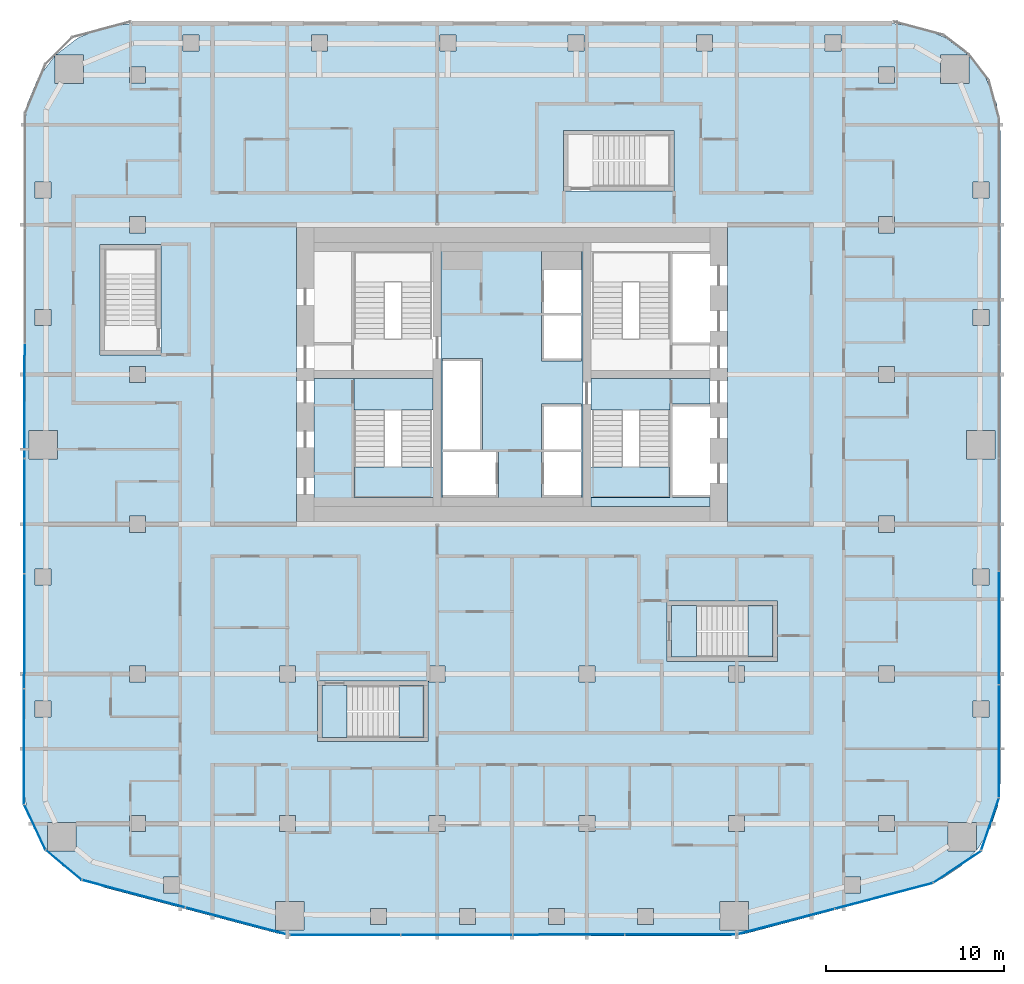
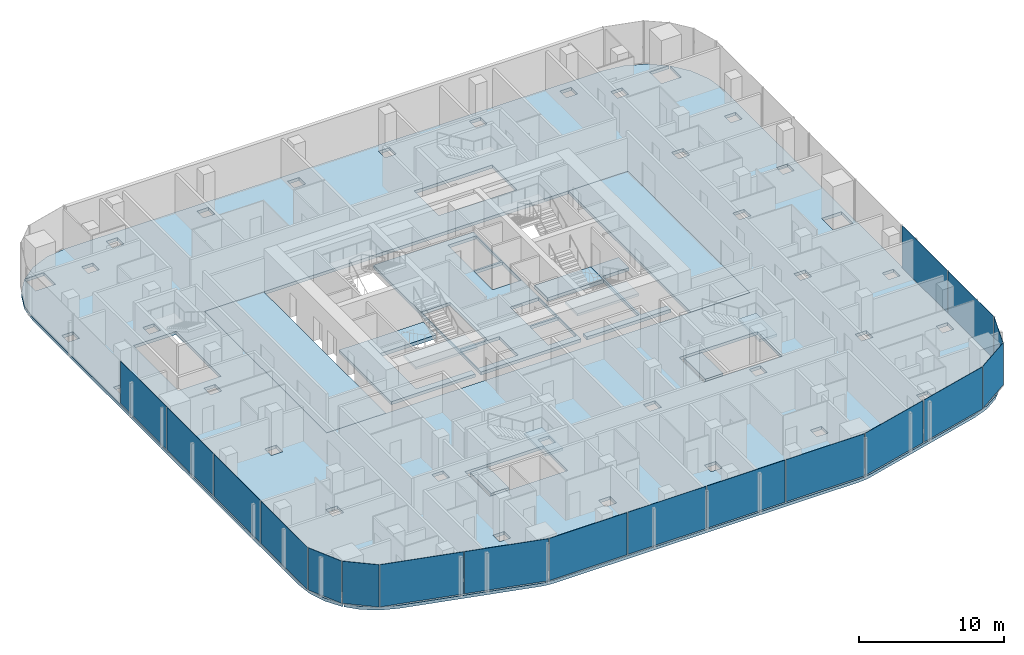
# One storey, part 12 of 23: 18 plates, 14 slabs, 13 elements without a shape of their own.
"""IFC4 building model written with IfcOpenShell, lengths in metres."""

from ifc_helpers import new_model, si_unit, direction, frame, origin, origin_2d, place, context, subcontext, project, spatial, polyline, rectangle, outline, extrude, material, layer, layer_set, type_object, element, aggregate, save


model = new_model("IFC4")

# Units and contexts
model_context = context("Model", 3, precision=1e-05, world=origin(), true_north=direction((0.0, 1.0)))
body_context = subcontext(model_context, "Body", "Model", "MODEL_VIEW")
ifc_project = project(units=[si_unit("LENGTHUNIT", "METRE"), si_unit("AREAUNIT", "SQUARE_METRE"), si_unit("VOLUMEUNIT", "CUBIC_METRE"), si_unit("PLANEANGLEUNIT", "RADIAN"), si_unit("MASSUNIT", "GRAM", prefix="KILO")], contexts=[model_context])

# Site, building, storey
site_placement = place(None, origin())
site = spatial("IfcSite", under=ifc_project, at=site_placement, CompositionType="ELEMENT")
building_placement = place(site_placement, origin())
building = spatial("IfcBuilding", under=site, at=building_placement, Name="Marenta Gate Hotel Tower", CompositionType="ELEMENT")
storey_placement = place(building_placement, frame((0.0, 0.0, 126.5)))
storey = spatial("IfcBuildingStorey", under=building, at=storey_placement, Name="L28", CompositionType="ELEMENT", Elevation=126.5)

# Slabs
ifc_material_1 = material(Name="Concrete C35", Category="concrete")
ifc_layer_1 = layer(ifc_material_1, 0.260009765625)
ifc_layer_set_1 = layer_set([ifc_layer_1], Name="Concrete C35")
slab_type_1 = type_object("IfcSlabType", Name="Concrete floor slab 260", PredefinedType="FLOOR", material=ifc_layer_set_1)
slab_1_placement = place(storey_placement, frame((0.0, 0.0, -0.260009765625)))
element("IfcSlab", 1, at=slab_1_placement, inside=storey, type_object=slab_type_1, Name="L28-SL-1", PredefinedType="FLOOR", context=body_context, shape_type="SweptSolid", body=[
    extrude(outline(polyline([(-25.213623046875, -19.1640625), (-26.011474609375, -18.3330078125), (-24.462890625, -18.3330078125), (-24.462890625, -16.73291015625), (-26.06298828125, -16.73291015625), (-26.06298828125, -18.279296875), (-26.13525390625, -18.2041015625), (-26.826904296875, -17.06689453125), (-27.25537109375, -15.80712890625), (-27.39990234375, -14.48974609375), (-27.39990234375, 22.006591796875), (-27.193115234375, 23.5791015625), (-26.58349609375, 25.050537109375), (-25.635498046875, 26.285888671875), (-25.635498046875, 24.735595703125), (-24.035400390625, 24.735595703125), (-24.035400390625, 26.33544921875), (-25.585693359375, 26.33544921875), (-24.350341796875, 27.283447265625), (-22.87890625, 27.89306640625), (-21.306640625, 28.10009765625), (21.306640625, 28.10009765625), (22.87890625, 27.89306640625), (24.350341796875, 27.283447265625), (25.585693359375, 26.33544921875), (24.035400390625, 26.33544921875), (24.035400390625, 24.735595703125), (25.635498046875, 24.735595703125), (25.635498046875, 26.285888671875), (26.58349609375, 25.050537109375), (27.193115234375, 23.5791015625), (27.39990234375, 22.006591796875), (27.39990234375, -14.48974609375), (27.25537109375, -15.80712890625), (26.826904296875, -17.06689453125), (26.13525390625, -18.2041015625), (26.06298828125, -18.279296875), (26.06298828125, -16.73291015625), (24.462890625, -16.73291015625), (24.462890625, -18.3330078125), (26.011474609375, -18.3330078125), (25.213623046875, -19.1640625), (24.105712890625, -19.9013671875), (22.86962890625, -20.37890625), (13.126708984375, -22.963623046875), (12.608642578125, -23.065673828125), (12.08154296875, -23.10009765625), (-12.08154296875, -23.10009765625), (-12.608642578125, -23.065673828125), (-13.126708984375, -22.963623046875), (-22.86962890625, -20.37890625), (-24.105712890625, -19.9013671875), (-25.213623046875, -19.1640625)]), holes=[polyline([(-16.800048828125, 0.0), (16.800048828125, 0.0), (16.800048828125, 16.800048828125), (-16.800048828125, 16.800048828125), (-16.800048828125, 0.0)]), polyline([(-18.65673828125, -19.7890625), (-19.556884765625, -19.7890625), (-19.556884765625, -20.689208984375), (-18.65673828125, -20.689208984375), (-18.65673828125, -19.7890625)]), polyline([(-20.550048828125, -17.25), (-20.550048828125, -16.35009765625), (-21.449951171875, -16.35009765625), (-21.449951171875, -17.25), (-20.550048828125, -17.25)]), polyline([(-12.14990234375, -16.35009765625), (-13.050048828125, -16.35009765625), (-13.050048828125, -17.25), (-12.14990234375, -17.25), (-12.14990234375, -16.35009765625)]), polyline([(-25.85009765625, -10.802001953125), (-25.85009765625, -9.90185546875), (-26.75, -9.90185546875), (-26.75, -10.802001953125), (-25.85009765625, -10.802001953125)]), polyline([(-20.550048828125, -8.85009765625), (-20.550048828125, -7.949951171875), (-21.449951171875, -7.949951171875), (-21.449951171875, -8.85009765625), (-20.550048828125, -8.85009765625)]), polyline([(-25.85009765625, -2.5009765625), (-26.75, -2.5009765625), (-26.75, -3.40087890625), (-25.85009765625, -3.40087890625), (-25.85009765625, -2.5009765625)]), polyline([(-20.550048828125, -0.449951171875), (-20.550048828125, 0.449951171875), (-21.449951171875, 0.449951171875), (-21.449951171875, -0.449951171875), (-20.550048828125, -0.449951171875)]), polyline([(-25.5, 3.64990234375), (-25.5, 5.25), (-27.10009765625, 5.25), (-27.10009765625, 3.64990234375), (-25.5, 3.64990234375)]), polyline([(-20.550048828125, 8.85009765625), (-21.449951171875, 8.85009765625), (-21.449951171875, 7.949951171875), (-20.550048828125, 7.949951171875), (-20.550048828125, 8.85009765625)]), polyline([(-25.85009765625, 11.1533203125), (-25.85009765625, 12.05322265625), (-26.75, 12.05322265625), (-26.75, 11.1533203125), (-25.85009765625, 11.1533203125)]), polyline([(-20.550048828125, 16.35009765625), (-20.550048828125, 17.25), (-21.449951171875, 17.25), (-21.449951171875, 16.35009765625), (-20.550048828125, 16.35009765625)]), polyline([(-25.85009765625, 19.206298828125), (-26.75, 19.206298828125), (-26.75, 18.306396484375), (-25.85009765625, 18.306396484375), (-25.85009765625, 19.206298828125)]), polyline([(-20.550048828125, 24.75), (-20.550048828125, 25.64990234375), (-21.449951171875, 25.64990234375), (-21.449951171875, 24.75), (-20.550048828125, 24.75)]), polyline([(-17.556884765625, 27.449951171875), (-18.456787109375, 27.449951171875), (-18.456787109375, 26.550048828125), (-17.556884765625, 26.550048828125), (-17.556884765625, 27.449951171875)]), polyline([(-7.030029296875, -22.449951171875), (-7.030029296875, -21.550048828125), (-7.93017578125, -21.550048828125), (-7.93017578125, -22.449951171875), (-7.030029296875, -22.449951171875)]), polyline([(-2.04345703125, -22.449951171875), (-2.04345703125, -21.550048828125), (-2.943359375, -21.550048828125), (-2.943359375, -22.449951171875), (-2.04345703125, -22.449951171875)]), polyline([(2.943359375, -21.550048828125), (2.04345703125, -21.550048828125), (2.04345703125, -22.449951171875), (2.943359375, -22.449951171875), (2.943359375, -21.550048828125)]), polyline([(7.93017578125, -22.449951171875), (7.93017578125, -21.550048828125), (7.030029296875, -21.550048828125), (7.030029296875, -22.449951171875), (7.93017578125, -22.449951171875)]), polyline([(-11.666259765625, -22.77490234375), (-11.666259765625, -21.1748046875), (-13.266357421875, -21.1748046875), (-13.266357421875, -22.77490234375), (-11.666259765625, -22.77490234375)]), polyline([(13.266357421875, -21.1748046875), (11.666259765625, -21.1748046875), (11.666259765625, -22.77490234375), (13.266357421875, -22.77490234375), (13.266357421875, -21.1748046875)]), polyline([(-3.75, -17.25), (-3.75, -16.35009765625), (-4.64990234375, -16.35009765625), (-4.64990234375, -17.25), (-3.75, -17.25)]), polyline([(4.64990234375, -17.25), (4.64990234375, -16.35009765625), (3.75, -16.35009765625), (3.75, -17.25), (4.64990234375, -17.25)]), polyline([(13.050048828125, -16.35009765625), (12.14990234375, -16.35009765625), (12.14990234375, -17.25), (13.050048828125, -17.25), (13.050048828125, -16.35009765625)]), polyline([(-12.14990234375, -8.85009765625), (-12.14990234375, -7.949951171875), (-13.050048828125, -7.949951171875), (-13.050048828125, -8.85009765625), (-12.14990234375, -8.85009765625)]), polyline([(-3.75, -8.85009765625), (-3.75, -7.949951171875), (-4.64990234375, -7.949951171875), (-4.64990234375, -8.85009765625), (-3.75, -8.85009765625)]), polyline([(4.64990234375, -7.949951171875), (3.75, -7.949951171875), (3.75, -8.85009765625), (4.64990234375, -8.85009765625), (4.64990234375, -7.949951171875)]), polyline([(-10.35400390625, 26.550048828125), (-10.35400390625, 27.449951171875), (-11.254150390625, 27.449951171875), (-11.254150390625, 26.550048828125), (-10.35400390625, 26.550048828125)]), polyline([(-3.1513671875, 26.550048828125), (-3.1513671875, 27.449951171875), (-4.051513671875, 27.449951171875), (-4.051513671875, 26.550048828125), (-3.1513671875, 26.550048828125)]), polyline([(4.051513671875, 27.449951171875), (3.1513671875, 27.449951171875), (3.1513671875, 26.550048828125), (4.051513671875, 26.550048828125), (4.051513671875, 27.449951171875)]), polyline([(11.254150390625, 26.550048828125), (11.254150390625, 27.449951171875), (10.35400390625, 27.449951171875), (10.35400390625, 26.550048828125), (11.254150390625, 26.550048828125)]), polyline([(19.556884765625, -20.689208984375), (19.556884765625, -19.7890625), (18.65673828125, -19.7890625), (18.65673828125, -20.689208984375), (19.556884765625, -20.689208984375)]), polyline([(21.449951171875, -17.25), (21.449951171875, -16.35009765625), (20.550048828125, -16.35009765625), (20.550048828125, -17.25), (21.449951171875, -17.25)]), polyline([(26.75, -10.802001953125), (26.75, -9.90185546875), (25.85009765625, -9.90185546875), (25.85009765625, -10.802001953125), (26.75, -10.802001953125)]), polyline([(13.050048828125, -7.949951171875), (12.14990234375, -7.949951171875), (12.14990234375, -8.85009765625), (13.050048828125, -8.85009765625), (13.050048828125, -7.949951171875)]), polyline([(21.449951171875, -8.85009765625), (21.449951171875, -7.949951171875), (20.550048828125, -7.949951171875), (20.550048828125, -8.85009765625), (21.449951171875, -8.85009765625)]), polyline([(26.75, -3.40087890625), (26.75, -2.5009765625), (25.85009765625, -2.5009765625), (25.85009765625, -3.40087890625), (26.75, -3.40087890625)]), polyline([(21.449951171875, 0.449951171875), (20.550048828125, 0.449951171875), (20.550048828125, -0.449951171875), (21.449951171875, -0.449951171875), (21.449951171875, 0.449951171875)]), polyline([(27.10009765625, 3.64990234375), (27.10009765625, 5.25), (25.5, 5.25), (25.5, 3.64990234375), (27.10009765625, 3.64990234375)]), polyline([(21.449951171875, 7.949951171875), (21.449951171875, 8.85009765625), (20.550048828125, 8.85009765625), (20.550048828125, 7.949951171875), (21.449951171875, 7.949951171875)]), polyline([(26.75, 12.05322265625), (25.85009765625, 12.05322265625), (25.85009765625, 11.1533203125), (26.75, 11.1533203125), (26.75, 12.05322265625)]), polyline([(21.449951171875, 16.35009765625), (21.449951171875, 17.25), (20.550048828125, 17.25), (20.550048828125, 16.35009765625), (21.449951171875, 16.35009765625)]), polyline([(26.75, 18.306396484375), (26.75, 19.206298828125), (25.85009765625, 19.206298828125), (25.85009765625, 18.306396484375), (26.75, 18.306396484375)]), polyline([(21.449951171875, 25.64990234375), (20.550048828125, 25.64990234375), (20.550048828125, 24.75), (21.449951171875, 24.75), (21.449951171875, 25.64990234375)]), polyline([(18.456787109375, 26.550048828125), (18.456787109375, 27.449951171875), (17.556884765625, 27.449951171875), (17.556884765625, 26.550048828125), (18.456787109375, 26.550048828125)]), polyline([(-10.89990234375, -12.199951171875), (-4.699951171875, -12.199951171875), (-4.699951171875, -8.800048828125), (-10.89990234375, -8.800048828125), (-10.89990234375, -12.199951171875)]), polyline([(8.699951171875, -7.699951171875), (14.89990234375, -7.699951171875), (14.89990234375, -4.300048828125), (8.699951171875, -4.300048828125), (8.699951171875, -7.699951171875)]), polyline([(-23.10009765625, 9.5), (-19.699951171875, 9.5), (-19.699951171875, 15.699951171875), (-23.10009765625, 15.699951171875), (-23.10009765625, 9.5)]), polyline([(2.89990234375, 18.699951171875), (9.10009765625, 18.699951171875), (9.10009765625, 22.10009765625), (2.89990234375, 22.10009765625), (2.89990234375, 18.699951171875)])]), origin(), (0.0, 0.0, 1.0), 0.260009765625),
])
ifc_material_2 = material(Name="Concrete C40", Category="concrete")
ifc_layer_2 = layer(ifc_material_2, 0.260009765625)
ifc_layer_set_2 = layer_set([ifc_layer_2], Name="Concrete C40")
slab_type_2 = type_object("IfcSlabType", Name="Core floor slab 260", PredefinedType="FLOOR", material=ifc_layer_set_2)
slab_2_placement = place(storey_placement, frame((0.0, 0.0, -0.260009765625)))
element("IfcSlab", 2, at=slab_2_placement, inside=storey, type_object=slab_type_2, Name="L28-CF-1", PredefinedType="FLOOR", context=body_context, shape_type="SweptSolid", body=[
    extrude(outline(polyline([(12.10009765625, 0.0), (12.10009765625, 16.800048828125), (16.800048828125, 16.800048828125), (16.800048828125, 0.0), (12.10009765625, 0.0)])), origin(), (0.0, 0.0, 1.0), 0.260009765625),
])
slab_3_placement = place(storey_placement, frame((0.0, 0.0, -0.260009765625)))
element("IfcSlab", 3, at=slab_3_placement, inside=storey, type_object=slab_type_2, Name="L28-CF-2", PredefinedType="FLOOR", context=body_context, shape_type="SweptSolid", body=[
    extrude(outline(polyline([(8.85009765625, 1.5), (8.85009765625, 6.39990234375), (8.85009765625, 8.10009765625), (8.85009765625, 8.175048828125), (11.10009765625, 8.175048828125), (11.10009765625, 6.75), (9.0, 6.75), (9.0, 6.60009765625), (9.0, 4.199951171875), (9.0, 4.050048828125), (9.0, 1.64990234375), (9.0, 1.5), (11.10009765625, 1.5), (11.10009765625, 1.0), (4.425048828125, 1.0), (4.425048828125, 1.5), (8.85009765625, 1.5)])), origin(), (0.0, 0.0, 1.0), 0.260009765625),
])
slab_4_placement = place(storey_placement, frame((0.0, 0.0, -0.260009765625)))
element("IfcSlab", 4, at=slab_4_placement, inside=storey, type_object=slab_type_2, Name="L28-CF-4", PredefinedType="FLOOR", context=body_context, shape_type="SweptSolid", body=[
    extrude(outline(polyline([(3.97509765625, 15.300048828125), (3.97509765625, 10.39990234375), (3.97509765625, 6.39990234375), (3.97509765625, 1.5), (3.97509765625, 1.0), (-3.97509765625, 1.0), (-3.97509765625, 1.5), (-3.97509765625, 6.39990234375), (-3.97509765625, 10.39990234375), (-3.97509765625, 15.300048828125), (-3.97509765625, 15.800048828125), (3.97509765625, 15.800048828125), (3.97509765625, 15.300048828125)]), holes=[polyline([(1.64990234375, 1.5), (3.89990234375, 1.5), (3.89990234375, 1.64990234375), (3.89990234375, 4.050048828125), (1.800048828125, 4.050048828125), (1.64990234375, 4.050048828125), (1.64990234375, 1.64990234375), (1.64990234375, 1.5)]), polyline([(1.64990234375, 6.60009765625), (1.64990234375, 4.199951171875), (1.800048828125, 4.199951171875), (3.89990234375, 4.199951171875), (3.89990234375, 6.60009765625), (3.89990234375, 6.75), (1.64990234375, 6.75), (1.64990234375, 6.60009765625)]), polyline([(1.64990234375, 9.14990234375), (3.89990234375, 9.14990234375), (3.89990234375, 9.300048828125), (3.89990234375, 11.699951171875), (1.800048828125, 11.699951171875), (1.64990234375, 11.699951171875), (1.64990234375, 9.300048828125), (1.64990234375, 9.14990234375)]), polyline([(1.64990234375, 15.300048828125), (1.64990234375, 14.25), (1.64990234375, 11.85009765625), (1.800048828125, 11.85009765625), (3.89990234375, 11.85009765625), (3.89990234375, 14.25), (3.89990234375, 15.300048828125), (1.64990234375, 15.300048828125)]), polyline([(-3.89990234375, 4.050048828125), (-3.89990234375, 1.64990234375), (-3.89990234375, 1.5), (-0.89990234375, 1.5), (-0.75, 1.5), (-0.75, 4.050048828125), (-0.89990234375, 4.050048828125), (-3.89990234375, 4.050048828125)]), polyline([(-1.800048828125, 4.199951171875), (-1.64990234375, 4.199951171875), (-1.64990234375, 9.14990234375), (-1.64990234375, 9.300048828125), (-3.89990234375, 9.300048828125), (-3.89990234375, 9.14990234375), (-3.89990234375, 6.75), (-3.89990234375, 6.60009765625), (-3.89990234375, 4.199951171875), (-1.800048828125, 4.199951171875)])]), origin(), (0.0, 0.0, 1.0), 0.260009765625),
])
slab_5_placement = place(storey_placement, frame((0.0, 0.0, -0.260009765625)))
element("IfcSlab", 5, at=slab_5_placement, inside=storey, type_object=slab_type_2, Name="L28-CF-5", PredefinedType="FLOOR", context=body_context, shape_type="SweptSolid", body=[
    extrude(outline(polyline([(-8.85009765625, 8.175048828125), (-8.85009765625, 8.10009765625), (-8.85009765625, 6.39990234375), (-8.85009765625, 1.5), (-4.425048828125, 1.5), (-4.425048828125, 1.0), (-11.10009765625, 1.0), (-11.10009765625, 8.175048828125), (-8.85009765625, 8.175048828125)])), origin(), (0.0, 0.0, 1.0), 0.260009765625),
])
slab_6_placement = place(storey_placement, frame((0.0, 0.0, -0.260009765625)))
element("IfcSlab", 6, at=slab_6_placement, inside=storey, type_object=slab_type_2, Name="L28-CF-7", PredefinedType="FLOOR", context=body_context, shape_type="SweptSolid", body=[
    extrude(outline(polyline([(-12.10009765625, 16.800048828125), (-12.10009765625, 0.0), (-16.800048828125, 0.0), (-16.800048828125, 16.800048828125), (-12.10009765625, 16.800048828125)])), origin(), (0.0, 0.0, 1.0), 0.260009765625),
])

# Stair, slab
ifc_material_3 = material(Name="Concrete C40", Category="concrete")
stair_type_1 = type_object("IfcStairType", Name="Core exit stair 1700 wide", PredefinedType="HALF_TURN_STAIR", material=ifc_material_3)
stair_1_placement = place(storey_placement, origin())
stair_1 = element("IfcStair", 7, at=stair_1_placement, inside=storey, type_object=stair_type_1, Name="Exit stair 1", PredefinedType="HALF_TURN_STAIR")
ifc_material_4 = material(Name="Concrete C40", Category="concrete")
ifc_layer_3 = layer(ifc_material_4, 0.199951171875)
ifc_layer_set_3 = layer_set([ifc_layer_3], Name="Concrete C40")
slab_type_3 = type_object("IfcSlabType", Name="Core stair landing 200", PredefinedType="LANDING", material=ifc_layer_set_3)
slab_7_placement = place(storey_placement, frame((0.0, 0.0, 1.60009765625)))
slab_7 = element("IfcSlab", 8, at=slab_7_placement, type_object=slab_type_3, Name="SL-200 ST1 landing 1", PredefinedType="LANDING", context=body_context, shape_type="SweptSolid", body=[
    extrude(outline(polyline([(-8.85009765625, 1.5), (-3.97509765625, 1.5), (-3.97509765625, 3.2099609375), (-8.85009765625, 3.2099609375), (-8.85009765625, 1.5)])), origin(), (0.0, 0.0, 1.0), 0.199951171875),
])
aggregate(stair_1, [slab_7])

stair_2_placement = place(storey_placement, origin())
stair_2 = element("IfcStair", 9, at=stair_2_placement, inside=storey, type_object=stair_type_1, Name="Exit stair 3", PredefinedType="HALF_TURN_STAIR")
slab_8_placement = place(storey_placement, frame((0.0, 0.0, 1.60009765625)))
slab_8 = element("IfcSlab", 10, at=slab_8_placement, type_object=slab_type_3, Name="SL-200 ST3 landing 1", PredefinedType="LANDING", context=body_context, shape_type="SweptSolid", body=[
    extrude(outline(polyline([(3.97509765625, 1.5), (8.85009765625, 1.5), (8.85009765625, 3.2099609375), (3.97509765625, 3.2099609375), (3.97509765625, 1.5)])), origin(), (0.0, 0.0, 1.0), 0.199951171875),
])
aggregate(stair_2, [slab_8])

# Curtain wall, plates
ifc_material_5 = material(Name="Tinted insulated glass in bronze anodised frame", Category="glass")
ifc_layer_4 = layer(ifc_material_5, 0.1201171875)
ifc_layer_set_4 = layer_set([ifc_layer_4], Name="Tinted insulated glass in bronze anodised frame")
curtain_wall_type = type_object("IfcCurtainWallType", Name="Tower unitised curtain wall CW1", PredefinedType="NOTDEFINED", material=ifc_layer_set_4)
curtain_wall_1_placement = place(storey_placement, origin())
curtain_wall_1 = element("IfcCurtainWall", 11, at=curtain_wall_1_placement, inside=storey, type_object=curtain_wall_type, Name="CW1 run G03", PredefinedType="NOTDEFINED")
ifc_material_6 = material(Name="Tinted insulated glass", Category="glass")
ifc_layer_5 = layer(ifc_material_6, 0.028076171875)
ifc_layer_set_5 = layer_set([ifc_layer_5], Name="Tinted insulated glass")
plate_type = type_object("IfcPlateType", Name="Glass panel CW1 28 mm tinted insulated unit", PredefinedType="CURTAIN_PANEL", material=ifc_layer_set_5)
plate_1_placement = place(storey_placement, frame((-27.337646484375, 6.916259765625, 0.06005859375), z_axis=(0.0, 0.0, 1.0), x_axis=(-0.001566045546, -0.99999877375, 0.0)))
plate_1 = element("IfcPlate", 12, at=plate_1_placement, type_object=plate_type, Name="CW1 panel 3.1", PredefinedType="CURTAIN_PANEL", context=body_context, shape_type="SweptSolid", body=[
    extrude(rectangle(XDim=6.39990234375, YDim=0.028076171875, at=origin_2d()), origin(), (0.0, 0.0, 1.0), 3.5400390625),
])
plate_2_placement = place(storey_placement, frame((-27.34765625, 0.456298828125, 0.06005859375), z_axis=(0.0, 0.0, 1.0), x_axis=(-0.001566045546, -0.99999877375, 0.0)))
plate_2 = element("IfcPlate", 13, at=plate_2_placement, type_object=plate_type, Name="CW1 panel 4.1", PredefinedType="CURTAIN_PANEL", context=body_context, shape_type="SweptSolid", body=[
    extrude(rectangle(XDim=6.39990234375, YDim=0.028076171875, at=origin_2d()), origin(), (0.0, 0.0, 1.0), 3.5400390625),
])
plate_3_placement = place(storey_placement, frame((-27.35791015625, -6.00390625, 0.06005859375), z_axis=(0.0, 0.0, 1.0), x_axis=(-0.001566045546, -0.99999877375, 0.0)))
plate_3 = element("IfcPlate", 14, at=plate_3_placement, type_object=plate_type, Name="CW1 panel 5.1", PredefinedType="CURTAIN_PANEL", context=body_context, shape_type="SweptSolid", body=[
    extrude(rectangle(XDim=6.39990234375, YDim=0.028076171875, at=origin_2d()), origin(), (0.0, 0.0, 1.0), 3.5400390625),
])
plate_4_placement = place(storey_placement, frame((-27.367919921875, -12.478759765625, 0.06005859375), z_axis=(0.0, 0.0, 1.0), x_axis=(-0.001566045546, -0.99999877375, 0.0)))
plate_4 = element("IfcPlate", 15, at=plate_4_placement, type_object=plate_type, Name="CW1 panel 6.1", PredefinedType="CURTAIN_PANEL", context=body_context, shape_type="SweptSolid", body=[
    extrude(rectangle(XDim=6.429931640625, YDim=0.028076171875, at=origin_2d()), origin(), (0.0, 0.0, 1.0), 3.5400390625),
])
aggregate(curtain_wall_1, [plate_1, plate_2, plate_3, plate_4])

# Curtain wall, plate
curtain_wall_2_placement = place(storey_placement, origin())
curtain_wall_2 = element("IfcCurtainWall", 16, at=curtain_wall_2_placement, inside=storey, type_object=curtain_wall_type, Name="CW1 run G04", PredefinedType="NOTDEFINED")
plate_5_placement = place(storey_placement, frame((-26.76123046875, -17.0029296875, 0.06005859375), z_axis=(0.0, 0.0, 1.0), x_axis=(0.423338088163, -0.905971778319, 0.0)))
plate_5 = element("IfcPlate", 17, at=plate_5_placement, type_object=plate_type, Name="CW1 panel 1.1", PredefinedType="CURTAIN_PANEL", context=body_context, shape_type="SweptSolid", body=[
    extrude(rectangle(XDim=2.77001953125, YDim=0.028076171875, at=origin_2d()), origin(), (0.0, 0.0, 1.0), 3.5400390625),
])
aggregate(curtain_wall_2, [plate_5])

curtain_wall_3_placement = place(storey_placement, origin())
curtain_wall_3 = element("IfcCurtainWall", 18, at=curtain_wall_3_placement, inside=storey, type_object=curtain_wall_type, Name="CW1 run G05", PredefinedType="NOTDEFINED")
plate_6_placement = place(storey_placement, frame((-25.14111328125, -19.1220703125, 0.06005859375), z_axis=(0.0, 0.0, 1.0), x_axis=(0.767112858807, -0.641512168126, 0.0)))
plate_6 = element("IfcPlate", 19, at=plate_6_placement, type_object=plate_type, Name="CW1 panel 1.1", PredefinedType="CURTAIN_PANEL", context=body_context, shape_type="SweptSolid", body=[
    extrude(rectangle(XDim=2.5751953125, YDim=0.028076171875, at=origin_2d()), origin(), (0.0, 0.0, 1.0), 3.5400390625),
])
aggregate(curtain_wall_3, [plate_6])

# Curtain wall, plates
curtain_wall_4_placement = place(storey_placement, origin())
curtain_wall_4 = element("IfcCurtainWall", 20, at=curtain_wall_4_placement, inside=storey, type_object=curtain_wall_type, Name="CW1 run G06", PredefinedType="NOTDEFINED")
plate_7_placement = place(storey_placement, frame((-21.22705078125, -20.726806640625, 0.06005859375), z_axis=(0.0, 0.0, 1.0), x_axis=(0.966373195468, -0.257143631229, 0.0)))
plate_7 = element("IfcPlate", 21, at=plate_7_placement, type_object=plate_type, Name="CW1 panel 1.1", PredefinedType="CURTAIN_PANEL", context=body_context, shape_type="SweptSolid", body=[
    extrude(rectangle(XDim=5.936279296875, YDim=0.028076171875, at=origin_2d()), origin(), (0.0, 0.0, 1.0), 3.5400390625),
])
plate_8_placement = place(storey_placement, frame((-15.4033203125, -22.276611328125, 0.06005859375), z_axis=(0.0, 0.0, 1.0), x_axis=(0.966373195468, -0.257143631229, 0.0)))
plate_8 = element("IfcPlate", 22, at=plate_8_placement, type_object=plate_type, Name="CW1 panel 2.1", PredefinedType="CURTAIN_PANEL", context=body_context, shape_type="SweptSolid", body=[
    extrude(rectangle(XDim=5.996337890625, YDim=0.028076171875, at=origin_2d()), origin(), (0.0, 0.0, 1.0), 3.5400390625),
])
aggregate(curtain_wall_4, [plate_7, plate_8])

curtain_wall_5_placement = place(storey_placement, origin())
curtain_wall_5 = element("IfcCurtainWall", 23, at=curtain_wall_5_placement, inside=storey, type_object=curtain_wall_type, Name="CW1 run G07", PredefinedType="NOTDEFINED")
plate_9_placement = place(storey_placement, frame((-9.35302734375, -23.043212890625, 0.06005859375), z_axis=(0.0, 0.0, 1.0), x_axis=(0.999999072004, 0.001362347707, 0.0)))
plate_9 = element("IfcPlate", 24, at=plate_9_placement, type_object=plate_type, Name="CW1 panel 1.1", PredefinedType="CURTAIN_PANEL", context=body_context, shape_type="SweptSolid", body=[
    extrude(rectangle(XDim=6.18603515625, YDim=0.028076171875, at=origin_2d()), origin(), (0.0, 0.0, 1.0), 3.5400390625),
])
plate_10_placement = place(storey_placement, frame((-3.092041015625, -23.03466796875, 0.06005859375), z_axis=(0.0, 0.0, 1.0), x_axis=(0.999999072004, 0.001362347707, 0.0)))
plate_10 = element("IfcPlate", 25, at=plate_10_placement, type_object=plate_type, Name="CW1 panel 2.1", PredefinedType="CURTAIN_PANEL", context=body_context, shape_type="SweptSolid", body=[
    extrude(rectangle(XDim=6.2158203125, YDim=0.028076171875, at=origin_2d()), origin(), (0.0, 0.0, 1.0), 3.5400390625),
])
plate_11_placement = place(storey_placement, frame((3.183837890625, -23.026123046875, 0.06005859375), z_axis=(0.0, 0.0, 1.0), x_axis=(0.999999072004, 0.001362347707, 0.0)))
plate_11 = element("IfcPlate", 26, at=plate_11_placement, type_object=plate_type, Name="CW1 panel 3.1", PredefinedType="CURTAIN_PANEL", context=body_context, shape_type="SweptSolid", body=[
    extrude(rectangle(XDim=6.2158203125, YDim=0.028076171875, at=origin_2d()), origin(), (0.0, 0.0, 1.0), 3.5400390625),
])
plate_12_placement = place(storey_placement, frame((9.474853515625, -23.017578125, 0.06005859375), z_axis=(0.0, 0.0, 1.0), x_axis=(0.999999072004, 0.001362347707, 0.0)))
plate_12 = element("IfcPlate", 27, at=plate_12_placement, type_object=plate_type, Name="CW1 panel 4.1", PredefinedType="CURTAIN_PANEL", context=body_context, shape_type="SweptSolid", body=[
    extrude(rectangle(XDim=6.245849609375, YDim=0.028076171875, at=origin_2d()), origin(), (0.0, 0.0, 1.0), 3.5400390625),
])
aggregate(curtain_wall_5, [plate_9, plate_10, plate_11, plate_12])

curtain_wall_6_placement = place(storey_placement, origin())
curtain_wall_6 = element("IfcCurtainWall", 28, at=curtain_wall_6_placement, inside=storey, type_object=curtain_wall_type, Name="CW1 run G08", PredefinedType="NOTDEFINED")
plate_13_placement = place(storey_placement, frame((15.36474609375, -22.28857421875, 0.06005859375), z_axis=(0.0, 0.0, 1.0), x_axis=(0.967368326473, 0.253374270473, 0.0)))
plate_13 = element("IfcPlate", 29, at=plate_13_placement, type_object=plate_type, Name="CW1 panel 1.1", PredefinedType="CURTAIN_PANEL", context=body_context, shape_type="SweptSolid", body=[
    extrude(rectangle(XDim=5.6005859375, YDim=0.028076171875, at=origin_2d()), origin(), (0.0, 0.0, 1.0), 3.5400390625),
])
plate_14_placement = place(storey_placement, frame((20.86962890625, -20.8466796875, 0.06005859375), z_axis=(0.0, 0.0, 1.0), x_axis=(0.967368326473, 0.253374270473, 0.0)))
plate_14 = element("IfcPlate", 30, at=plate_14_placement, type_object=plate_type, Name="CW1 panel 2.1", PredefinedType="CURTAIN_PANEL", context=body_context, shape_type="SweptSolid", body=[
    extrude(rectangle(XDim=5.66064453125, YDim=0.028076171875, at=origin_2d()), origin(), (0.0, 0.0, 1.0), 3.5400390625),
])
aggregate(curtain_wall_6, [plate_13, plate_14])

# Curtain wall, plate
curtain_wall_7_placement = place(storey_placement, origin())
curtain_wall_7 = element("IfcCurtainWall", 31, at=curtain_wall_7_placement, inside=storey, type_object=curtain_wall_type, Name="CW1 run G09", PredefinedType="NOTDEFINED")
plate_15_placement = place(storey_placement, frame((24.981201171875, -19.215576171875, 0.06005859375), z_axis=(0.0, 0.0, 1.0), x_axis=(0.832505857051, 0.554016243423, 0.0)))
plate_15 = element("IfcPlate", 32, at=plate_15_placement, type_object=plate_type, Name="CW1 panel 1.1", PredefinedType="CURTAIN_PANEL", context=body_context, shape_type="SweptSolid", body=[
    extrude(rectangle(XDim=3.179931640625, YDim=0.028076171875, at=origin_2d()), origin(), (0.0, 0.0, 1.0), 3.5400390625),
])
aggregate(curtain_wall_7, [plate_15])

curtain_wall_8_placement = place(storey_placement, origin())
curtain_wall_8 = element("IfcCurtainWall", 33, at=curtain_wall_8_placement, inside=storey, type_object=curtain_wall_type, Name="CW1 run G10", PredefinedType="NOTDEFINED")
plate_16_placement = place(storey_placement, frame((26.819091796875, -16.822998046875, 0.06005859375), z_axis=(0.0, 0.0, 1.0), x_axis=(0.322033173773, 0.946728385013, 0.0)))
plate_16 = element("IfcPlate", 34, at=plate_16_placement, type_object=plate_type, Name="CW1 panel 1.1", PredefinedType="CURTAIN_PANEL", context=body_context, shape_type="SweptSolid", body=[
    extrude(rectangle(XDim=3.073486328125, YDim=0.028076171875, at=origin_2d()), origin(), (0.0, 0.0, 1.0), 3.5400390625),
])
aggregate(curtain_wall_8, [plate_16])

# Curtain wall, plates
curtain_wall_9_placement = place(storey_placement, origin())
curtain_wall_9 = element("IfcCurtainWall", 35, at=curtain_wall_9_placement, inside=storey, type_object=curtain_wall_type, Name="CW1 run G11", PredefinedType="NOTDEFINED")
plate_17_placement = place(storey_placement, frame((27.31396484375, -12.173095703125, 0.06005859375), z_axis=(0.0, 0.0, 1.0), x_axis=(0.0, 1.0, 0.0)))
plate_17 = element("IfcPlate", 36, at=plate_17_placement, type_object=plate_type, Name="CW1 panel 1.1", PredefinedType="CURTAIN_PANEL", context=body_context, shape_type="SweptSolid", body=[
    extrude(rectangle(XDim=6.27001953125, YDim=0.028076171875, at=origin_2d()), origin(), (0.0, 0.0, 1.0), 3.5400390625),
])
plate_18_placement = place(storey_placement, frame((27.31396484375, -5.828125, 0.06005859375), z_axis=(0.0, 0.0, 1.0), x_axis=(0.0, 1.0, 0.0)))
plate_18 = element("IfcPlate", 37, at=plate_18_placement, type_object=plate_type, Name="CW1 panel 2.1", PredefinedType="CURTAIN_PANEL", context=body_context, shape_type="SweptSolid", body=[
    extrude(rectangle(XDim=6.300048828125, YDim=0.028076171875, at=origin_2d()), origin(), (0.0, 0.0, 1.0), 3.5400390625),
])
aggregate(curtain_wall_9, [plate_17, plate_18])

# Stair, slab
ifc_material_7 = material(Name="Concrete C40", Category="concrete")
stair_type_2 = type_object("IfcStairType", Name="Remote exit stair 1400 wide", PredefinedType="HALF_TURN_STAIR", material=ifc_material_7)
stair_3_placement = place(storey_placement, origin())
stair_3 = element("IfcStair", 38, at=stair_3_placement, inside=storey, type_object=stair_type_2, Name="Exit stair RS-Z2-1", PredefinedType="HALF_TURN_STAIR")
ifc_material_8 = material(Name="Concrete C40", Category="concrete")
ifc_layer_6 = layer(ifc_material_8, 0.199951171875)
ifc_layer_set_6 = layer_set([ifc_layer_6], Name="Concrete C40")
slab_type_4 = type_object("IfcSlabType", Name="Remote stair landing 200", PredefinedType="LANDING", material=ifc_layer_set_6)
slab_9_placement = place(storey_placement, frame((0.0, 0.0, 1.60009765625)))
slab_9 = element("IfcSlab", 39, at=slab_9_placement, type_object=slab_type_4, Name="RL-200 RS-Z2-1 landing 1", PredefinedType="LANDING", context=body_context, shape_type="SweptSolid", body=[
    extrude(outline(polyline([(-6.35009765625, -11.949951171875), (-4.949951171875, -11.949951171875), (-4.949951171875, -9.050048828125), (-6.35009765625, -9.050048828125), (-6.35009765625, -11.949951171875)])), origin(), (0.0, 0.0, 1.0), 0.199951171875),
])
aggregate(stair_3, [slab_9])

stair_4_placement = place(storey_placement, origin())
stair_4 = element("IfcStair", 40, at=stair_4_placement, inside=storey, type_object=stair_type_2, Name="Exit stair RS-Z2-2", PredefinedType="HALF_TURN_STAIR")
slab_10_placement = place(storey_placement, frame((0.0, 0.0, 1.60009765625)))
slab_10 = element("IfcSlab", 41, at=slab_10_placement, type_object=slab_type_4, Name="RL-200 RS-Z2-2 landing 1", PredefinedType="LANDING", context=body_context, shape_type="SweptSolid", body=[
    extrude(outline(polyline([(13.25, -7.449951171875), (14.64990234375, -7.449951171875), (14.64990234375, -4.550048828125), (13.25, -4.550048828125), (13.25, -7.449951171875)])), origin(), (0.0, 0.0, 1.0), 0.199951171875),
])
aggregate(stair_4, [slab_10])

# Slabs
ifc_material_9 = material(Name="Concrete C40", Category="concrete")
ifc_layer_7 = layer(ifc_material_9, 0.300048828125)
ifc_layer_set_7 = layer_set([ifc_layer_7], Name="Concrete C40")
slab_type_5 = type_object("IfcSlabType", Name="Stair floor landing slab 300", PredefinedType="FLOOR", material=ifc_layer_set_7)
slab_11_placement = place(storey_placement, frame((0.0, 0.0, -0.300048828125)))
element("IfcSlab", 42, at=slab_11_placement, inside=storey, type_object=slab_type_5, Name="L28-CL-ST1-1", PredefinedType="FLOOR", context=body_context, shape_type="SweptSolid", body=[
    extrude(outline(polyline([(-4.425048828125, 6.39990234375), (-8.85009765625, 6.39990234375), (-8.85009765625, 8.10009765625), (-8.85009765625, 8.175048828125), (-4.425048828125, 8.175048828125), (-4.425048828125, 6.39990234375)])), origin(), (0.0, 0.0, 1.0), 0.300048828125),
])
slab_12_placement = place(storey_placement, frame((0.0, 0.0, -0.300048828125)))
element("IfcSlab", 43, at=slab_12_placement, inside=storey, type_object=slab_type_5, Name="L28-CL-ST3-1", PredefinedType="FLOOR", context=body_context, shape_type="SweptSolid", body=[
    extrude(outline(polyline([(4.425048828125, 6.39990234375), (4.425048828125, 8.175048828125), (8.85009765625, 8.175048828125), (8.85009765625, 8.10009765625), (8.85009765625, 6.39990234375), (4.425048828125, 6.39990234375)])), origin(), (0.0, 0.0, 1.0), 0.300048828125),
])
slab_13_placement = place(storey_placement, frame((0.0, 0.0, -0.300048828125)))
element("IfcSlab", 44, at=slab_13_placement, inside=storey, type_object=slab_type_5, Name="L28-RS-Z2-1-CL", PredefinedType="FLOOR", context=body_context, shape_type="SweptSolid", body=[
    extrude(outline(polyline([(-9.25, -11.949951171875), (-9.25, -9.050048828125), (-10.64990234375, -9.050048828125), (-10.64990234375, -11.949951171875), (-9.25, -11.949951171875)])), origin(), (0.0, 0.0, 1.0), 0.300048828125),
])
slab_14_placement = place(storey_placement, frame((0.0, 0.0, -0.300048828125)))
element("IfcSlab", 45, at=slab_14_placement, inside=storey, type_object=slab_type_5, Name="L28-RS-Z2-2-CL", PredefinedType="FLOOR", context=body_context, shape_type="SweptSolid", body=[
    extrude(outline(polyline([(10.35009765625, -7.449951171875), (10.35009765625, -4.550048828125), (8.949951171875, -4.550048828125), (8.949951171875, -7.449951171875), (10.35009765625, -7.449951171875)])), origin(), (0.0, 0.0, 1.0), 0.300048828125),
])

save(model, "model.ifc")
